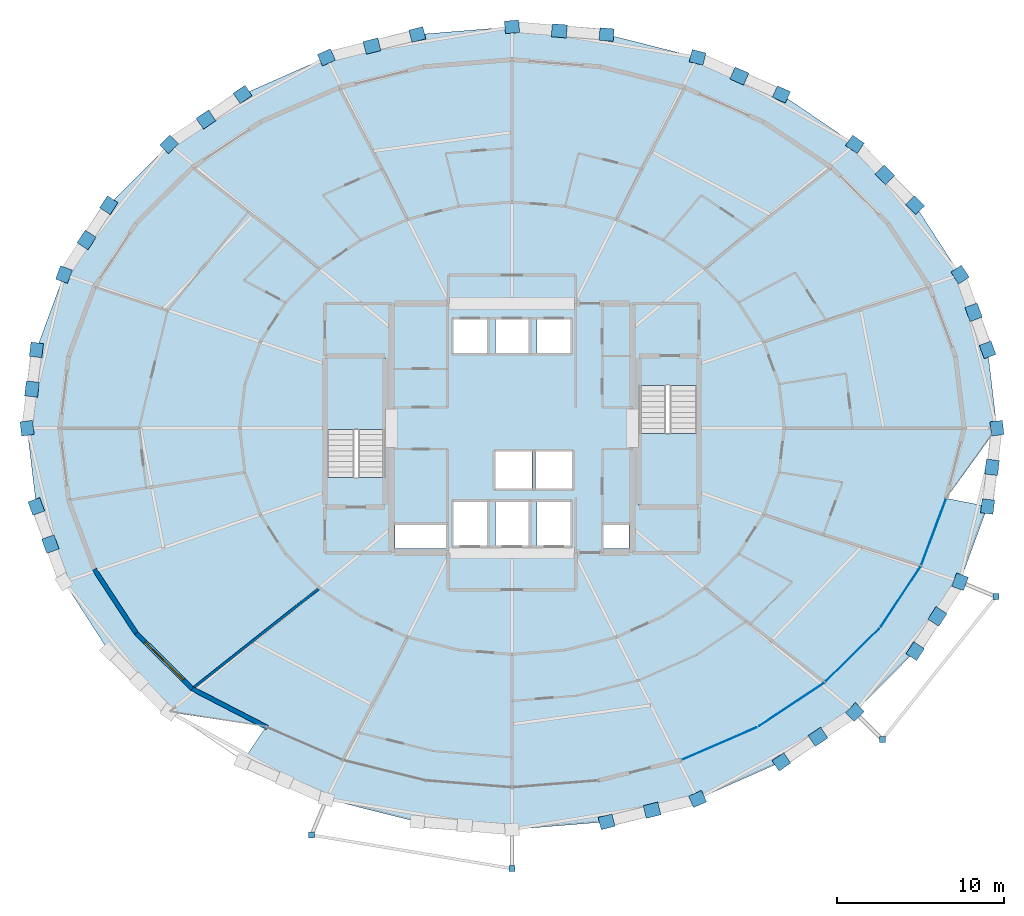
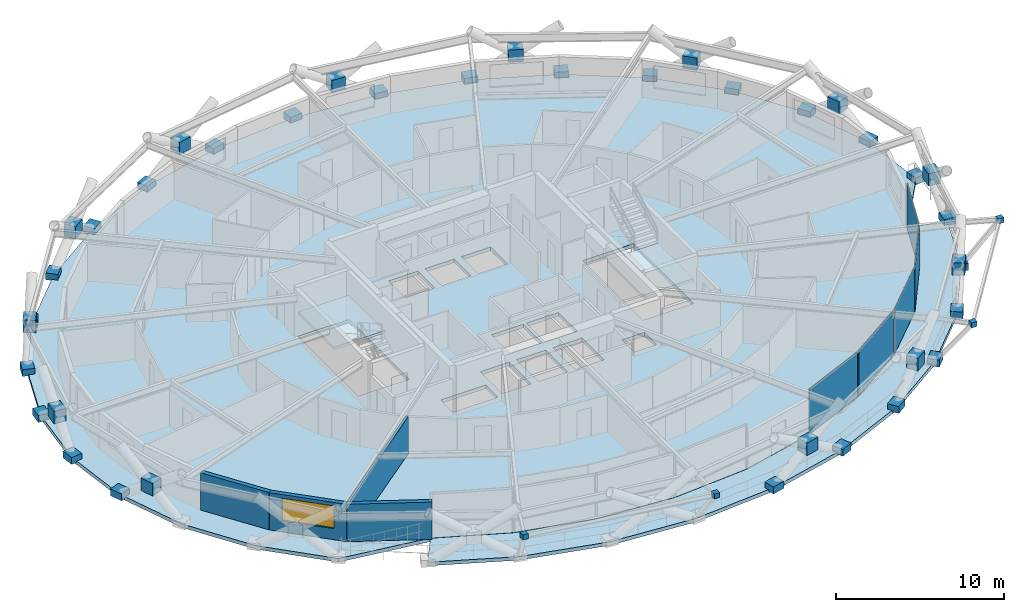
# One storey, part 12 of 20: 47 plates, 4 slabs, 4 walls, 1 window, 1 opening, 3 elements without a shape of their own.
"""IFC4 building model written with IfcOpenShell, lengths in metres."""

from ifc_helpers import new_model, si_unit, direction, frame, frame_2d, origin, origin_2d, place, context, subcontext, project, spatial, polyline, rectangle, outline, extrude, material, layer, layer_set, type_object, element, fill, aggregate, save


model = new_model("IFC4")

# Units and contexts
model_context = context("Model", 3, precision=1e-05, world=origin(), true_north=direction((0.0, 1.0)))
body_context = subcontext(model_context, "Body", "Model", "MODEL_VIEW")
ifc_project = project(units=[si_unit("LENGTHUNIT", "METRE"), si_unit("AREAUNIT", "SQUARE_METRE"), si_unit("VOLUMEUNIT", "CUBIC_METRE"), si_unit("PLANEANGLEUNIT", "RADIAN"), si_unit("MASSUNIT", "GRAM", prefix="KILO")], contexts=[model_context])

# Site, building, storey
site_placement = place(None, origin())
site = spatial("IfcSite", under=ifc_project, at=site_placement, CompositionType="ELEMENT")
building_placement = place(site_placement, origin())
building = spatial("IfcBuilding", under=site, at=building_placement, Name="Veldorina Hangang Commons", CompositionType="ELEMENT")
storey_placement = place(building_placement, frame((0.0, 0.0, 84.39990234375)))
storey = spatial("IfcBuildingStorey", under=building, at=storey_placement, Name="L21", CompositionType="ELEMENT", Elevation=84.39990234375)

# Curtain wall, plates
ifc_material_1 = material(Name="Glass Low-E Triple IGU", Category="glass")
ifc_layer_1 = layer(ifc_material_1, 0.179931640625)
ifc_layer_set_1 = layer_set([ifc_layer_1], Name="Glass Low-E Triple IGU")
curtain_wall_type = type_object("IfcCurtainWallType", Name="CW-SYS-Z1", PredefinedType="NOTDEFINED", material=ifc_layer_set_1)
curtain_wall_placement = place(storey_placement, origin())
curtain_wall = element("IfcCurtainWall", 1, at=curtain_wall_placement, inside=storey, type_object=curtain_wall_type, Name="L21 unitised curtain wall CW-L21-R2", PredefinedType="NOTDEFINED")
ifc_layer_2 = layer(ifc_material_1, 0.0400390625)
ifc_layer_set_2 = layer_set([ifc_layer_2], Name="Glass Low-E Triple IGU")
plate_type_1 = type_object("IfcPlateType", Name="CW-PNL-VIS", PredefinedType="CURTAIN_PANEL", material=ifc_layer_set_2)
plate_1_placement = place(storey_placement, frame((44.41259765625, 5.160400390625, 0.01513671875), z_axis=(0.0, 0.0, 1.0), x_axis=(0.91744936741, 0.397852558416, 0.0)))
plate_1 = element("IfcPlate", 2, at=plate_1_placement, type_object=plate_type_1, Name="CW-L21-R2 facet 1 glazed vision panel", PredefinedType="CURTAIN_PANEL", context=body_context, shape_type="SweptSolid", body=[
    extrude(rectangle(XDim=4.805908203125, YDim=0.0400390625, at=origin_2d()), origin(), (0.0, 0.0, 1.0), 3.27001953125),
])
plate_2_placement = place(storey_placement, frame((48.70458984375, 7.487060546875, 0.01513671875), z_axis=(0.0, 0.0, 1.0), x_axis=(0.832399311613, 0.554176313123, 0.0)))
plate_2 = element("IfcPlate", 3, at=plate_2_placement, type_object=plate_type_1, Name="CW-L21-R2 facet 2 glazed vision panel", PredefinedType="CURTAIN_PANEL", context=body_context, shape_type="SweptSolid", body=[
    extrude(rectangle(XDim=4.63671875, YDim=0.0400390625, at=origin_2d()), origin(), (0.0, 0.0, 1.0), 3.27001953125),
])
plate_3_placement = place(storey_placement, frame((52.3544921875, 10.447998046875, 0.01513671875), z_axis=(0.0, 0.0, 1.0), x_axis=(0.711179942974, 0.703010020349, 0.0)))
plate_3 = element("IfcPlate", 4, at=plate_3_placement, type_object=plate_type_1, Name="CW-L21-R2 facet 3 glazed vision panel", PredefinedType="CURTAIN_PANEL", context=body_context, shape_type="SweptSolid", body=[
    extrude(rectangle(XDim=4.447021484375, YDim=0.0400390625, at=origin_2d()), origin(), (0.0, 0.0, 1.0), 3.27001953125),
])
plate_4_placement = place(storey_placement, frame((55.222412109375, 13.93017578125, 0.01513671875), z_axis=(0.0, 0.0, 1.0), x_axis=(0.550160140946, 0.835059171146, 0.0)))
plate_4 = element("IfcPlate", 5, at=plate_4_placement, type_object=plate_type_1, Name="CW-L21-R2 facet 4 glazed vision panel", PredefinedType="CURTAIN_PANEL", context=body_context, shape_type="SweptSolid", body=[
    extrude(rectangle(XDim=4.26416015625, YDim=0.0400390625, at=origin_2d()), origin(), (0.0, 0.0, 1.0), 3.27001953125),
])
plate_5_placement = place(storey_placement, frame((57.19775390625, 17.799072265625, 0.01513671875), z_axis=(0.0, 0.0, 1.0), x_axis=(0.350240077074, 0.936659964134, 0.0)))
plate_5 = element("IfcPlate", 6, at=plate_5_placement, type_object=plate_type_1, Name="CW-L21-R2 facet 5 glazed vision panel", PredefinedType="CURTAIN_PANEL", context=body_context, shape_type="SweptSolid", body=[
    extrude(rectangle(XDim=4.118896484375, YDim=0.0400390625, at=origin_2d()), origin(), (0.0, 0.0, 1.0), 3.27001953125),
])
aggregate(curtain_wall, [plate_1, plate_2, plate_3, plate_4, plate_5])

# Plates
ifc_material_2 = material(Name="Steel SM460-TMC", Category="steel")
ifc_layer_3 = layer(ifc_material_2, 0.035888671875)
ifc_layer_set_3 = layer_set([ifc_layer_3], Name="Steel SM460-TMC")
plate_type_2 = type_object("IfcPlateType", Name="PL-STAR-36", PredefinedType="USERDEFINED", material=ifc_layer_set_3)
for number, where, z_axis, x_axis, name in (
    (7, (60.97900390625, 24.0, -0.08984375), (0.0, 0.0, 1.0), (-0.11816133753, 0.992994410011, 0.0), "L21 diagrid star-node gusset plate 00"),
    (8, (60.422119140625, 28.67919921875, -0.08984375), (0.0, 0.0, 1.0), (-0.344118581558, 0.938926196155, 0.0), "L21 diagrid star-node gusset plate 01"),
):
    element("IfcPlate", number, at=place(storey_placement, frame(where, z_axis=z_axis, x_axis=x_axis)), inside=storey, type_object=plate_type_2, Name=name, ObjectType="GUSSET PLATE", PredefinedType="USERDEFINED", context=body_context, shape_type="SweptSolid", body=[
        extrude(rectangle(XDim=0.85009765625, YDim=0.75, at=origin_2d()), origin(), (0.0, 0.0, 1.0), 0.5),
    ])
plate_6_placement = place(storey_placement, frame((59.584716796875, 30.92626953125, 1.350830078125), z_axis=(0.0, 0.0, 1.0), x_axis=(-0.344118581558, 0.938926196155, 0.0)))
element("IfcPlate", 9, at=plate_6_placement, inside=storey, type_object=plate_type_2, Name="L21 diagrid X-crossing star-node gusset plate 01", ObjectType="GUSSET PLATE", PredefinedType="USERDEFINED", context=body_context, shape_type="SweptSolid", body=[
    extrude(rectangle(XDim=0.89990234375, YDim=0.780029296875, at=origin_2d()), origin(), (0.0, 0.0, 1.0), 0.89990234375),
])
for number, where, z_axis, x_axis, name in (
    (10, (58.773193359375, 33.1787109375, -0.08984375), (0.0, 0.0, 1.0), (-0.542500184935, 0.840055682288, 0.0), "L21 diagrid star-node gusset plate 02"),
    (11, (56.09521484375, 37.325439453125, -0.08984375), (0.0, 0.0, 1.0), (-0.704101484713, 0.710099358699, 0.0), "L21 diagrid star-node gusset plate 03"),
):
    element("IfcPlate", number, at=place(storey_placement, frame(where, z_axis=z_axis, x_axis=x_axis)), inside=storey, type_object=plate_type_2, Name=name, ObjectType="GUSSET PLATE", PredefinedType="USERDEFINED", context=body_context, shape_type="SweptSolid", body=[
        extrude(rectangle(XDim=0.85009765625, YDim=0.75, at=origin_2d()), origin(), (0.0, 0.0, 1.0), 0.5),
    ])
plate_7_placement = place(storey_placement, frame((54.28271484375, 39.136962890625, 1.350830078125), z_axis=(0.0, 0.0, 1.0), x_axis=(-0.704101484713, 0.710099358699, 0.0)))
element("IfcPlate", 12, at=plate_7_placement, inside=storey, type_object=plate_type_2, Name="L21 diagrid X-crossing star-node gusset plate 03", ObjectType="GUSSET PLATE", PredefinedType="USERDEFINED", context=body_context, shape_type="SweptSolid", body=[
    extrude(rectangle(XDim=0.89990234375, YDim=0.780029296875, at=origin_2d()), origin(), (0.0, 0.0, 1.0), 0.89990234375),
])
for number, where, z_axis, x_axis, name in (
    (13, (52.4912109375, 40.960205078125, -0.08984375), (0.0, 0.0, 1.0), (-0.827217892461, 0.561881267166, 0.0), "L21 diagrid star-node gusset plate 04"),
    (14, (48.099853515625, 43.943115234375, -0.08984375), (0.0, 0.0, 1.0), (-0.914501271551, 0.404583025264, 0.0), "L21 diagrid star-node gusset plate 05"),
):
    element("IfcPlate", number, at=place(storey_placement, frame(where, z_axis=z_axis, x_axis=x_axis)), inside=storey, type_object=plate_type_2, Name=name, ObjectType="GUSSET PLATE", PredefinedType="USERDEFINED", context=body_context, shape_type="SweptSolid", body=[
        extrude(rectangle(XDim=0.85009765625, YDim=0.75, at=origin_2d()), origin(), (0.0, 0.0, 1.0), 0.5),
    ])
plate_8_placement = place(storey_placement, frame((45.58837890625, 45.04296875, 1.350830078125), z_axis=(0.0, 0.0, 1.0), x_axis=(-0.914501271551, 0.404583025264, 0.0)))
element("IfcPlate", 15, at=plate_8_placement, inside=storey, type_object=plate_type_2, Name="L21 diagrid X-crossing star-node gusset plate 05", ObjectType="GUSSET PLATE", PredefinedType="USERDEFINED", context=body_context, shape_type="SweptSolid", body=[
    extrude(rectangle(XDim=0.89990234375, YDim=0.780029296875, at=origin_2d()), origin(), (0.0, 0.0, 1.0), 0.89990234375),
])
for number, where, z_axis, x_axis, name in (
    (16, (43.08984375, 46.159423828125, -0.08984375), (0.0, 0.0, 1.0), (-0.969897521271, 0.243513445691, 0.0), "L21 diagrid star-node gusset plate 06"),
    (17, (37.653564453125, 47.5244140625, -0.08984375), (0.0, 0.0, 1.0), (-0.996692929705, 0.08126010015, 0.0), "L21 diagrid star-node gusset plate 07"),
):
    element("IfcPlate", number, at=place(storey_placement, frame(where, z_axis=z_axis, x_axis=x_axis)), inside=storey, type_object=plate_type_2, Name=name, ObjectType="GUSSET PLATE", PredefinedType="USERDEFINED", context=body_context, shape_type="SweptSolid", body=[
        extrude(rectangle(XDim=0.85009765625, YDim=0.75, at=origin_2d()), origin(), (0.0, 0.0, 1.0), 0.5),
    ])
plate_9_placement = place(storey_placement, frame((34.825439453125, 47.745361328125, 1.350830078125), z_axis=(0.0, 0.0, 1.0), x_axis=(-0.996692929705, 0.08126010015, 0.0)))
element("IfcPlate", 18, at=plate_9_placement, inside=storey, type_object=plate_type_2, Name="L21 diagrid X-crossing star-node gusset plate 07", ObjectType="GUSSET PLATE", PredefinedType="USERDEFINED", context=body_context, shape_type="SweptSolid", body=[
    extrude(rectangle(XDim=0.89990234375, YDim=0.780029296875, at=origin_2d()), origin(), (0.0, 0.0, 1.0), 0.89990234375),
])
for number, where, z_axis, x_axis, name in (
    (19, (32.0, 47.9853515625, -0.08984375), (0.0, 0.0, 1.0), (-0.996692929705, -0.08126010015, 0.0), "L21 diagrid star-node gusset plate 08"),
    (20, (26.346435546875, 47.5244140625, -0.08984375), (0.0, 0.0, 1.0), (-0.969897521271, -0.243513445691, 0.0), "L21 diagrid star-node gusset plate 09"),
):
    element("IfcPlate", number, at=place(storey_placement, frame(where, z_axis=z_axis, x_axis=x_axis)), inside=storey, type_object=plate_type_2, Name=name, ObjectType="GUSSET PLATE", PredefinedType="USERDEFINED", context=body_context, shape_type="SweptSolid", body=[
        extrude(rectangle(XDim=0.85009765625, YDim=0.75, at=origin_2d()), origin(), (0.0, 0.0, 1.0), 0.5),
    ])
plate_10_placement = place(storey_placement, frame((23.63232421875, 46.832763671875, 1.35107421875), z_axis=(0.0, 0.0, 1.0), x_axis=(-0.969897521271, -0.243513445691, 0.0)))
element("IfcPlate", 21, at=plate_10_placement, inside=storey, type_object=plate_type_2, Name="L21 diagrid X-crossing star-node gusset plate 09", ObjectType="GUSSET PLATE", PredefinedType="USERDEFINED", context=body_context, shape_type="SweptSolid", body=[
    extrude(rectangle(XDim=0.89990234375, YDim=0.780029296875, at=origin_2d()), origin(), (0.0, 0.0, 1.0), 0.89990234375),
])
for number, where, z_axis, x_axis, name in (
    (22, (20.91015625, 46.159423828125, -0.08984375), (0.0, 0.0, 1.0), (-0.914501271551, -0.404583025264, 0.0), "L21 diagrid star-node gusset plate 10"),
    (23, (15.900146484375, 43.943115234375, -0.08984375), (0.0, 0.0, 1.0), (-0.827217892461, -0.561881267166, 0.0), "L21 diagrid star-node gusset plate 11"),
):
    element("IfcPlate", number, at=place(storey_placement, frame(where, z_axis=z_axis, x_axis=x_axis)), inside=storey, type_object=plate_type_2, Name=name, ObjectType="GUSSET PLATE", PredefinedType="USERDEFINED", context=body_context, shape_type="SweptSolid", body=[
        extrude(rectangle(XDim=0.85009765625, YDim=0.75, at=origin_2d()), origin(), (0.0, 0.0, 1.0), 0.5),
    ])
plate_11_placement = place(storey_placement, frame((13.713134765625, 42.444091796875, 1.350830078125), z_axis=(0.0, 0.0, 1.0), x_axis=(-0.827217892461, -0.561881267166, 0.0)))
element("IfcPlate", 24, at=plate_11_placement, inside=storey, type_object=plate_type_2, Name="L21 diagrid X-crossing star-node gusset plate 11", ObjectType="GUSSET PLATE", PredefinedType="USERDEFINED", context=body_context, shape_type="SweptSolid", body=[
    extrude(rectangle(XDim=0.89990234375, YDim=0.780029296875, at=origin_2d()), origin(), (0.0, 0.0, 1.0), 0.89990234375),
])
for number, where, z_axis, x_axis, name in (
    (25, (11.5087890625, 40.960205078125, -0.08984375), (0.0, 0.0, 1.0), (-0.704101484713, -0.710099358699, 0.0), "L21 diagrid star-node gusset plate 12"),
    (26, (7.90478515625, 37.325439453125, -0.08984375), (0.0, 0.0, 1.0), (-0.542500184935, -0.840055682288, 0.0), "L21 diagrid star-node gusset plate 13"),
):
    element("IfcPlate", number, at=place(storey_placement, frame(where, z_axis=z_axis, x_axis=x_axis)), inside=storey, type_object=plate_type_2, Name=name, ObjectType="GUSSET PLATE", PredefinedType="USERDEFINED", context=body_context, shape_type="SweptSolid", body=[
        extrude(rectangle(XDim=0.85009765625, YDim=0.75, at=origin_2d()), origin(), (0.0, 0.0, 1.0), 0.5),
    ])
plate_12_placement = place(storey_placement, frame((6.577880859375, 35.24755859375, 1.350830078125), z_axis=(0.0, 0.0, 1.0), x_axis=(-0.542500184935, -0.840055682288, 0.0)))
element("IfcPlate", 27, at=plate_12_placement, inside=storey, type_object=plate_type_2, Name="L21 diagrid X-crossing star-node gusset plate 13", ObjectType="GUSSET PLATE", PredefinedType="USERDEFINED", context=body_context, shape_type="SweptSolid", body=[
    extrude(rectangle(XDim=0.89990234375, YDim=0.780029296875, at=origin_2d()), origin(), (0.0, 0.0, 1.0), 0.89990234375),
])
for number, where, z_axis, x_axis, name in (
    (28, (5.226806640625, 33.1787109375, -0.08984375), (0.0, 0.0, 1.0), (-0.344118581558, -0.938926196155, 0.0), "L21 diagrid star-node gusset plate 14"),
    (29, (3.577880859375, 28.67919921875, -0.08984375), (0.0, 0.0, 1.0), (-0.11816133753, -0.992994410011, 0.0), "L21 diagrid star-node gusset plate 15"),
):
    element("IfcPlate", number, at=place(storey_placement, frame(where, z_axis=z_axis, x_axis=x_axis)), inside=storey, type_object=plate_type_2, Name=name, ObjectType="GUSSET PLATE", PredefinedType="USERDEFINED", context=body_context, shape_type="SweptSolid", body=[
        extrude(rectangle(XDim=0.85009765625, YDim=0.75, at=origin_2d()), origin(), (0.0, 0.0, 1.0), 0.5),
    ])
plate_13_placement = place(storey_placement, frame((3.31298828125, 26.338623046875, 1.350830078125), z_axis=(0.0, 0.0, 1.0), x_axis=(-0.11816133753, -0.992994410011, 0.0)))
element("IfcPlate", 30, at=plate_13_placement, inside=storey, type_object=plate_type_2, Name="L21 diagrid X-crossing star-node gusset plate 15", ObjectType="GUSSET PLATE", PredefinedType="USERDEFINED", context=body_context, shape_type="SweptSolid", body=[
    extrude(rectangle(XDim=0.89990234375, YDim=0.780029296875, at=origin_2d()), origin(), (0.0, 0.0, 1.0), 0.89990234375),
])
for number, where, z_axis, x_axis, name in (
    (31, (3.02099609375, 24.0, -0.08984375), (0.0, 0.0, 1.0), (0.11816133753, -0.992994410011, 0.0), "L21 diagrid star-node gusset plate 16"),
    (32, (3.577880859375, 19.32080078125, -0.08984375), (0.0, 0.0, 1.0), (0.344118581558, -0.938926196155, 0.0), "L21 diagrid star-node gusset plate 17"),
):
    element("IfcPlate", number, at=place(storey_placement, frame(where, z_axis=z_axis, x_axis=x_axis)), inside=storey, type_object=plate_type_2, Name=name, ObjectType="GUSSET PLATE", PredefinedType="USERDEFINED", context=body_context, shape_type="SweptSolid", body=[
        extrude(rectangle(XDim=0.85009765625, YDim=0.75, at=origin_2d()), origin(), (0.0, 0.0, 1.0), 0.5),
    ])
plate_14_placement = place(storey_placement, frame((4.415283203125, 17.07373046875, 1.350830078125), z_axis=(0.0, 0.0, 1.0), x_axis=(0.344118581558, -0.938926196155, 0.0)))
element("IfcPlate", 33, at=plate_14_placement, inside=storey, type_object=plate_type_2, Name="L21 diagrid X-crossing star-node gusset plate 17", ObjectType="GUSSET PLATE", PredefinedType="USERDEFINED", context=body_context, shape_type="SweptSolid", body=[
    extrude(rectangle(XDim=0.89990234375, YDim=0.780029296875, at=origin_2d()), origin(), (0.0, 0.0, 1.0), 0.89990234375),
])
plate_15_placement = place(storey_placement, frame((37.653564453125, 0.4755859375, -0.08984375), z_axis=(0.0, 0.0, 1.0), x_axis=(0.969897521271, 0.243513445691, 0.0)))
element("IfcPlate", 34, at=plate_15_placement, inside=storey, type_object=plate_type_2, Name="L21 diagrid star-node gusset plate 25", ObjectType="GUSSET PLATE", PredefinedType="USERDEFINED", context=body_context, shape_type="SweptSolid", body=[
    extrude(rectangle(XDim=0.85009765625, YDim=0.75, at=origin_2d()), origin(), (0.0, 0.0, 1.0), 0.5),
])
plate_16_placement = place(storey_placement, frame((40.36767578125, 1.167236328125, 1.35107421875), z_axis=(0.0, 0.0, 1.0), x_axis=(0.969897521271, 0.243513445691, 0.0)))
element("IfcPlate", 35, at=plate_16_placement, inside=storey, type_object=plate_type_2, Name="L21 diagrid X-crossing star-node gusset plate 25", ObjectType="GUSSET PLATE", PredefinedType="USERDEFINED", context=body_context, shape_type="SweptSolid", body=[
    extrude(rectangle(XDim=0.89990234375, YDim=0.780029296875, at=origin_2d()), origin(), (0.0, 0.0, 1.0), 0.89990234375),
])
for number, where, z_axis, x_axis, name in (
    (36, (43.08984375, 1.840576171875, -0.08984375), (0.0, 0.0, 1.0), (0.914501271551, 0.404583025264, 0.0), "L21 diagrid star-node gusset plate 26"),
    (37, (48.099853515625, 4.056884765625, -0.08984375), (0.0, 0.0, 1.0), (0.827217892461, 0.561881267166, 0.0), "L21 diagrid star-node gusset plate 27"),
):
    element("IfcPlate", number, at=place(storey_placement, frame(where, z_axis=z_axis, x_axis=x_axis)), inside=storey, type_object=plate_type_2, Name=name, ObjectType="GUSSET PLATE", PredefinedType="USERDEFINED", context=body_context, shape_type="SweptSolid", body=[
        extrude(rectangle(XDim=0.85009765625, YDim=0.75, at=origin_2d()), origin(), (0.0, 0.0, 1.0), 0.5),
    ])
plate_17_placement = place(storey_placement, frame((50.286865234375, 5.555908203125, 1.350830078125), z_axis=(0.0, 0.0, 1.0), x_axis=(0.827217892461, 0.561881267166, 0.0)))
element("IfcPlate", 38, at=plate_17_placement, inside=storey, type_object=plate_type_2, Name="L21 diagrid X-crossing star-node gusset plate 27", ObjectType="GUSSET PLATE", PredefinedType="USERDEFINED", context=body_context, shape_type="SweptSolid", body=[
    extrude(rectangle(XDim=0.89990234375, YDim=0.780029296875, at=origin_2d()), origin(), (0.0, 0.0, 1.0), 0.89990234375),
])
for number, where, z_axis, x_axis, name in (
    (39, (52.4912109375, 7.039794921875, -0.08984375), (0.0, 0.0, 1.0), (0.704101484713, 0.710099358699, 0.0), "L21 diagrid star-node gusset plate 28"),
    (40, (56.09521484375, 10.674560546875, -0.08984375), (0.0, 0.0, 1.0), (0.542500184935, 0.840055682288, 0.0), "L21 diagrid star-node gusset plate 29"),
):
    element("IfcPlate", number, at=place(storey_placement, frame(where, z_axis=z_axis, x_axis=x_axis)), inside=storey, type_object=plate_type_2, Name=name, ObjectType="GUSSET PLATE", PredefinedType="USERDEFINED", context=body_context, shape_type="SweptSolid", body=[
        extrude(rectangle(XDim=0.85009765625, YDim=0.75, at=origin_2d()), origin(), (0.0, 0.0, 1.0), 0.5),
    ])
plate_18_placement = place(storey_placement, frame((57.422119140625, 12.75244140625, 1.350830078125), z_axis=(0.0, 0.0, 1.0), x_axis=(0.542500184935, 0.840055682288, 0.0)))
element("IfcPlate", 41, at=plate_18_placement, inside=storey, type_object=plate_type_2, Name="L21 diagrid X-crossing star-node gusset plate 29", ObjectType="GUSSET PLATE", PredefinedType="USERDEFINED", context=body_context, shape_type="SweptSolid", body=[
    extrude(rectangle(XDim=0.89990234375, YDim=0.780029296875, at=origin_2d()), origin(), (0.0, 0.0, 1.0), 0.89990234375),
])
for number, where, z_axis, x_axis, name in (
    (42, (58.773193359375, 14.8212890625, -0.08984375), (0.0, 0.0, 1.0), (0.344118581558, 0.938926196155, 0.0), "L21 diagrid star-node gusset plate 30"),
    (43, (60.422119140625, 19.32080078125, -0.08984375), (0.0, 0.0, 1.0), (0.11816133753, 0.992994410011, 0.0), "L21 diagrid star-node gusset plate 31"),
):
    element("IfcPlate", number, at=place(storey_placement, frame(where, z_axis=z_axis, x_axis=x_axis)), inside=storey, type_object=plate_type_2, Name=name, ObjectType="GUSSET PLATE", PredefinedType="USERDEFINED", context=body_context, shape_type="SweptSolid", body=[
        extrude(rectangle(XDim=0.85009765625, YDim=0.75, at=origin_2d()), origin(), (0.0, 0.0, 1.0), 0.5),
    ])
plate_19_placement = place(storey_placement, frame((60.68701171875, 21.661376953125, 1.350830078125), z_axis=(0.0, 0.0, 1.0), x_axis=(0.11816133753, 0.992994410011, 0.0)))
element("IfcPlate", 44, at=plate_19_placement, inside=storey, type_object=plate_type_2, Name="L21 diagrid X-crossing star-node gusset plate 31", ObjectType="GUSSET PLATE", PredefinedType="USERDEFINED", context=body_context, shape_type="SweptSolid", body=[
    extrude(rectangle(XDim=0.89990234375, YDim=0.780029296875, at=origin_2d()), origin(), (0.0, 0.0, 1.0), 0.89990234375),
])
for number, where, z_axis, x_axis, name in (
    (45, (20.021484375, -0.31298828125, 2.98486328125), (0.0, 0.0, 1.0), (1.0, 0.0, 0.0), "L22 tree balcony 1 strut end gusset A"),
    (46, (32.0, -2.316162109375, 2.98486328125), (0.0, 0.0, 1.0), (1.0, 0.0, 0.0), "L22 tree balcony 1 strut end gusset B"),
    (47, (54.133544921875, 5.3916015625, 2.98486328125), (0.0, 0.0, 1.0), (1.0, 0.0, 0.0), "L22 tree balcony 2 strut end gusset A"),
    (48, (60.9189453125, 13.92919921875, 2.98486328125), (0.0, 0.0, 1.0), (1.0, 0.0, 0.0), "L22 tree balcony 2 strut end gusset B"),
):
    element("IfcPlate", number, at=place(storey_placement, frame(where, z_axis=z_axis, x_axis=x_axis)), inside=storey, type_object=plate_type_2, Name=name, ObjectType="GUSSET PLATE", PredefinedType="USERDEFINED", context=body_context, shape_type="SweptSolid", body=[
        extrude(rectangle(XDim=0.360107421875, YDim=0.360107421875, at=origin_2d()), origin(), (0.0, 0.0, 1.0), 0.360107421875),
    ])

# Slabs
ifc_material_3 = material(Name="Concrete C40/50", Category="concrete")
ifc_layer_4 = layer(ifc_material_3, 0.260009765625)
ifc_layer_set_4 = layer_set([ifc_layer_4], Name="Concrete C40/50")
slab_type_1 = type_object("IfcSlabType", Name="SL-FLR-260", PredefinedType="FLOOR", material=ifc_layer_set_4)
slab_1_placement = place(storey_placement, frame((0.0, 0.0, -0.260009765625)))
element("IfcSlab", 49, at=slab_1_placement, inside=storey, type_object=slab_type_1, Name="L21 tower structural floor slab", PredefinedType="FLOOR", context=body_context, shape_type="SweptSolid", body=[
    extrude(outline(polyline([(60.97900390625, 24.0), (60.422119140625, 28.67919921875), (58.773193359375, 33.1787109375), (56.09521484375, 37.325439453125), (52.4912109375, 40.960205078125), (48.099853515625, 43.943115234375), (43.08984375, 46.159423828125), (37.653564453125, 47.5244140625), (32.0, 47.9853515625), (26.346435546875, 47.5244140625), (20.91015625, 46.159423828125), (15.900146484375, 43.943115234375), (11.5087890625, 40.960205078125), (7.90478515625, 37.325439453125), (5.226806640625, 33.1787109375), (3.577880859375, 28.67919921875), (3.02099609375, 24.0), (3.577880859375, 19.32080078125), (5.226806640625, 14.8212890625), (7.90478515625, 10.674560546875), (11.5087890625, 7.039794921875), (17.30029296875, 6.15234375), (21.87451171875, 4.168701171875), (26.838134765625, 2.947021484375), (32.0, 2.53466796875), (37.161865234375, 2.947021484375), (42.12548828125, 4.168701171875), (46.69970703125, 6.15234375), (50.709228515625, 8.82177734375), (54.0, 12.074462890625), (56.44482421875, 15.78564453125), (57.95068359375, 19.812255859375), (60.97900390625, 24.0)]), holes=[polyline([(20.949951171875, 21.05810546875), (20.949951171875, 28.199951171875), (24.449951171875, 28.199951171875), (24.449951171875, 21.05810546875), (20.949951171875, 21.05810546875)]), polyline([(43.050048828125, 26.5419921875), (43.050048828125, 19.39990234375), (39.550048828125, 19.39990234375), (39.550048828125, 26.5419921875), (43.050048828125, 26.5419921875)]), polyline([(28.5, 30.5), (30.5, 30.5), (30.5, 28.5), (28.5, 28.5), (28.5, 30.5)]), polyline([(31.0, 30.5), (33.0, 30.5), (33.0, 28.5), (31.0, 28.5), (31.0, 30.5)]), polyline([(33.5, 30.5), (35.5, 30.5), (35.5, 28.5), (33.5, 28.5), (33.5, 30.5)]), polyline([(31.0, 22.60009765625), (33.199951171875, 22.60009765625), (33.199951171875, 20.39990234375), (31.0, 20.39990234375), (31.0, 22.60009765625)]), polyline([(33.39990234375, 22.60009765625), (35.60009765625, 22.60009765625), (35.60009765625, 20.39990234375), (33.39990234375, 20.39990234375), (33.39990234375, 22.60009765625)]), polyline([(28.5, 19.60009765625), (30.5, 19.60009765625), (30.5, 17.0), (28.5, 17.0), (28.5, 19.60009765625)]), polyline([(31.0, 19.60009765625), (33.0, 19.60009765625), (33.0, 17.0), (31.0, 17.0), (31.0, 19.60009765625)]), polyline([(33.5, 19.60009765625), (35.5, 19.60009765625), (35.5, 17.0), (33.5, 17.0), (33.5, 19.60009765625)]), polyline([(25.0, 18.25), (28.10009765625, 18.25), (28.10009765625, 16.800048828125), (25.0, 16.800048828125), (25.0, 18.25)]), polyline([(37.449951171875, 18.25), (39.0, 18.25), (39.0, 16.800048828125), (37.449951171875, 16.800048828125), (37.449951171875, 18.25)])]), origin(), (0.0, 0.0, 1.0), 0.260009765625),
])
slab_2_placement = place(storey_placement, frame((0.0, 0.0, -0.260009765625)))
element("IfcSlab", 50, at=slab_2_placement, inside=storey, type_object=slab_type_1, Name="L21 sky-garden loggia outdoor slab", PredefinedType="FLOOR", context=body_context, shape_type="SweptSolid", body=[
    extrude(outline(polyline([(60.422119140625, 19.32080078125), (58.773193359375, 14.8212890625), (56.09521484375, 10.674560546875), (52.4912109375, 7.039794921875), (48.099853515625, 4.056884765625), (43.08984375, 1.840576171875), (37.653564453125, 0.4755859375), (32.0, 0.0146484375), (26.346435546875, 0.4755859375), (20.91015625, 1.840576171875), (15.900146484375, 4.056884765625), (17.291015625, 6.138427734375), (17.2958984375, 6.1376953125), (21.86865234375, 4.15478515625), (21.869873046875, 4.154296875), (21.87109375, 4.154052734375), (26.83447265625, 2.9326171875), (26.835693359375, 2.932373046875), (26.8369140625, 2.93212890625), (31.998779296875, 2.519775390625), (32.0, 2.519775390625), (32.001220703125, 2.519775390625), (37.1630859375, 2.93212890625), (37.164306640625, 2.932373046875), (37.16552734375, 2.9326171875), (42.12890625, 4.154052734375), (42.130126953125, 4.154296875), (42.13134765625, 4.15478515625), (46.705810546875, 6.138427734375), (46.70703125, 6.13916015625), (46.7080078125, 6.139892578125), (50.717529296875, 8.80908203125), (50.71875, 8.81005859375), (50.7197265625, 8.81103515625), (54.010498046875, 12.063720703125), (54.011474609375, 12.06494140625), (54.012451171875, 12.066162109375), (56.45751953125, 15.77734375), (56.458251953125, 15.77880859375), (56.458984375, 15.7802734375), (57.9638671875, 19.80517578125), (57.966796875, 19.80908203125), (60.422119140625, 19.32080078125)])), origin(), (0.0, 0.0, 1.0), 0.260009765625),
])

# Stair, slab
stair_type = type_object("IfcStairType", Name="STR-DOG-1650-20R", PredefinedType="HALF_TURN_STAIR", material=ifc_material_3)
stair_1_placement = place(storey_placement, origin())
stair_1 = element("IfcStair", 51, at=stair_1_placement, inside=storey, type_object=stair_type, Name="L21 Exit stair ST-1", PredefinedType="HALF_TURN_STAIR")
ifc_layer_5 = layer(ifc_material_3, 0.199951171875)
ifc_layer_set_5 = layer_set([ifc_layer_5], Name="Concrete C40/50")
slab_type_2 = type_object("IfcSlabType", Name="SL-LND-200", PredefinedType="LANDING", material=ifc_layer_set_5)
slab_3_placement = place(storey_placement, frame((0.0, 0.0, 1.60009765625)))
slab_3 = element("IfcSlab", 52, at=slab_3_placement, type_object=slab_type_2, Name="ST-1 landing 1", PredefinedType="LANDING", context=body_context, shape_type="SweptSolid", body=[
    extrude(outline(polyline([(24.449951171875, 23.929931640625), (24.449951171875, 28.199951171875), (20.949951171875, 28.199951171875), (20.949951171875, 23.929931640625), (24.449951171875, 23.929931640625)])), origin(), (0.0, 0.0, 1.0), 0.199951171875),
])
aggregate(stair_1, [slab_3])

stair_2_placement = place(storey_placement, origin())
stair_2 = element("IfcStair", 53, at=stair_2_placement, inside=storey, type_object=stair_type, Name="L21 Exit stair ST-2", PredefinedType="HALF_TURN_STAIR")
slab_4_placement = place(storey_placement, frame((0.0, 0.0, 1.60009765625)))
slab_4 = element("IfcSlab", 54, at=slab_4_placement, type_object=slab_type_2, Name="ST-2 landing 1", PredefinedType="LANDING", context=body_context, shape_type="SweptSolid", body=[
    extrude(outline(polyline([(39.550048828125, 23.669921875), (39.550048828125, 19.39990234375), (43.050048828125, 19.39990234375), (43.050048828125, 23.669921875), (39.550048828125, 23.669921875)])), origin(), (0.0, 0.0, 1.0), 0.199951171875),
])
aggregate(stair_2, [slab_4])

# Wall
ifc_material_4 = material(Name="Stone Roman Travertine", Category="masonry")
ifc_layer_6 = layer(ifc_material_4, 0.280029296875)
ifc_layer_set_6 = layer_set([ifc_layer_6], Name="Stone Roman Travertine")
wall_type_1 = type_object("IfcWallType", Name="EW-TRAV-280", PredefinedType="STANDARD", material=ifc_layer_set_6)
wall_1_placement = place(storey_placement, frame((7.03759765625, 15.5712890625, 0.0), z_axis=(0.0, 0.0, 1.0), x_axis=(0.548336678248, -0.836257668, 0.0)))
element("IfcWall", 55, at=wall_1_placement, inside=storey, type_object=wall_type_1, Name="L21 travertine facade wall 18", PredefinedType="STANDARD", context=body_context, shape_type="SweptSolid", body=[
    extrude(rectangle(XDim=4.553466796875, YDim=0.280029296875, at=frame_2d((2.27685546875, 0.0))), origin(), (0.0, 0.0, 1.0), 2.710205078125),
])

# Wall, opening, window
wall_2_placement = place(storey_placement, frame((9.534423828125, 11.763427734375, 0.0), z_axis=(0.0, 0.0, 1.0), x_axis=(0.709499676925, -0.704705760189, 0.0)))
wall_2 = element("IfcWall", 56, at=wall_2_placement, inside=storey, type_object=wall_type_1, Name="L21 travertine facade wall 19", PredefinedType="STANDARD", context=body_context, shape_type="SweptSolid", body=[
    extrude(rectangle(XDim=4.736328125, YDim=0.280029296875, at=frame_2d((2.3681640625, 0.0))), origin(), (0.0, 0.0, 1.0), 2.710205078125),
])
opening_placement = place(wall_2_placement, frame((0.76806640625, 0.0, 0.800048828125)))
opening = element("IfcOpeningElement", 57, at=opening_placement, cuts=wall_2, Name="Opening W-01", PredefinedType="OPENING", context=body_context, shape_type="SweptSolid", body=[
    extrude(rectangle(XDim=3.199951171875, YDim=1.64990234375, at=frame_2d((1.60009765625, 0.824951171875))), frame((0.0, 0.14990234375, 0.0), z_axis=(0.0, -1.0, 0.0), x_axis=(1.0, 0.0, 0.0)), (0.0, 0.0, 1.0), 0.300048828125),
])
window_type = type_object("IfcWindowType", Name="WIN-TWR-3200", PartitioningType="SINGLE_PANEL", PredefinedType="WINDOW", material=ifc_material_1)
window_placement = place(opening_placement, origin())
window = element("IfcWindow", 58, at=window_placement, inside=storey, type_object=window_type, Name="L21 facade window 19", OverallHeight=1.64990234375, OverallWidth=3.199951171875, PartitioningType="SINGLE_PANEL", PredefinedType="WINDOW", context=body_context, shape_type="SweptSolid", body=[
    extrude(rectangle(XDim=3.199951171875, YDim=1.64990234375, at=frame_2d((1.60009765625, 0.824951171875))), frame((0.0, 0.030029296875, 0.0), z_axis=(0.0, -1.0, 0.0), x_axis=(1.0, 0.0, 0.0)), (0.0, 0.0, 1.0), 0.06005859375),
])
fill(opening, window)

# Walls
wall_3_placement = place(storey_placement, frame((12.894775390625, 8.42578125, 0.0), z_axis=(0.0, 0.0, 1.0), x_axis=(0.888649259328, -0.458587498625, 0.0)))
element("IfcWall", 59, at=wall_3_placement, inside=storey, type_object=wall_type_1, Name="L21 travertine facade wall 20", PredefinedType="STANDARD", context=body_context, shape_type="SweptSolid", body=[
    extrude(rectangle(XDim=5.049560546875, YDim=0.280029296875, at=frame_2d((2.52490234375, 0.0))), origin(), (0.0, 0.0, 1.0), 2.710205078125),
])
ifc_material_5 = material(Name="Gypsum Fire-Rated Twin Stud Wall", Category="gypsum")
ifc_layer_7 = layer(ifc_material_5, 0.159912109375)
ifc_layer_set_7 = layer_set([ifc_layer_7], Name="Gypsum Fire-Rated Twin Stud Wall")
wall_type_2 = type_object("IfcWallType", Name="WL-FIRE-160", PredefinedType="SOLIDWALL", material=ifc_layer_set_7)
wall_4_placement = place(storey_placement, frame((20.492431640625, 14.44140625, 0.0), z_axis=(0.0, 0.0, 1.0), x_axis=(-0.784008851618, -0.620749644047, 0.0)))
element("IfcWall", 60, at=wall_4_placement, inside=storey, type_object=wall_type_2, Name="L21 Unit party wall 20 117", PredefinedType="SOLIDWALL", context=body_context, shape_type="SweptSolid", body=[
    extrude(rectangle(XDim=9.640869140625, YDim=0.159912109375, at=frame_2d((4.8203125, 0.0))), origin(), (0.0, 0.0, 1.0), 2.710205078125),
])

save(model, "model.ifc")
